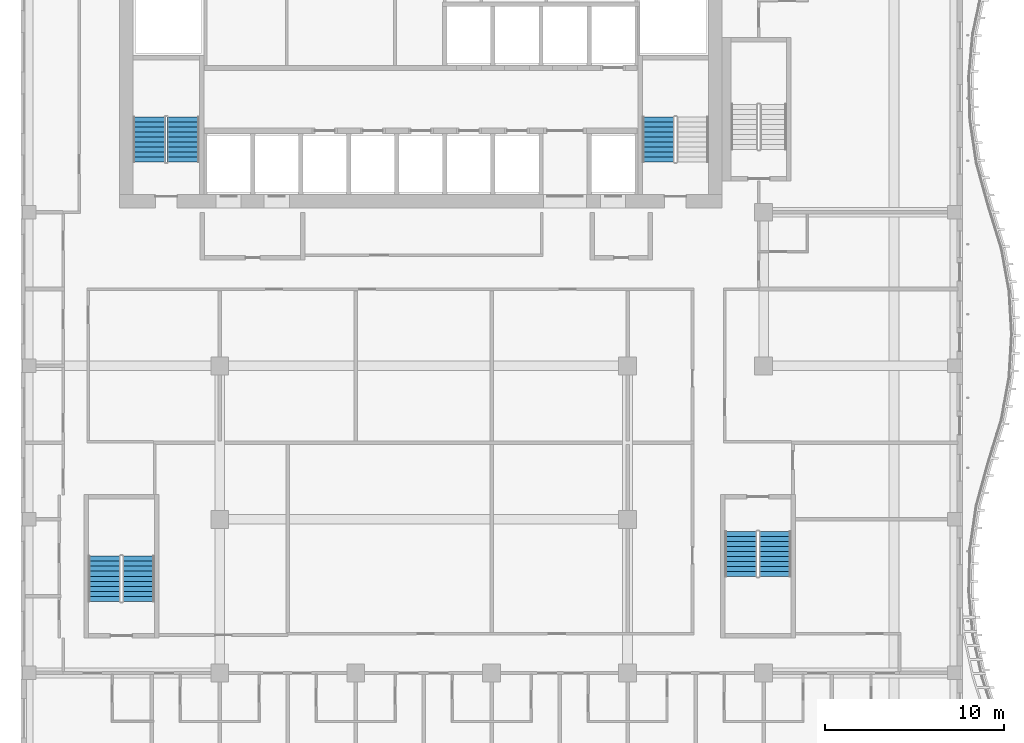
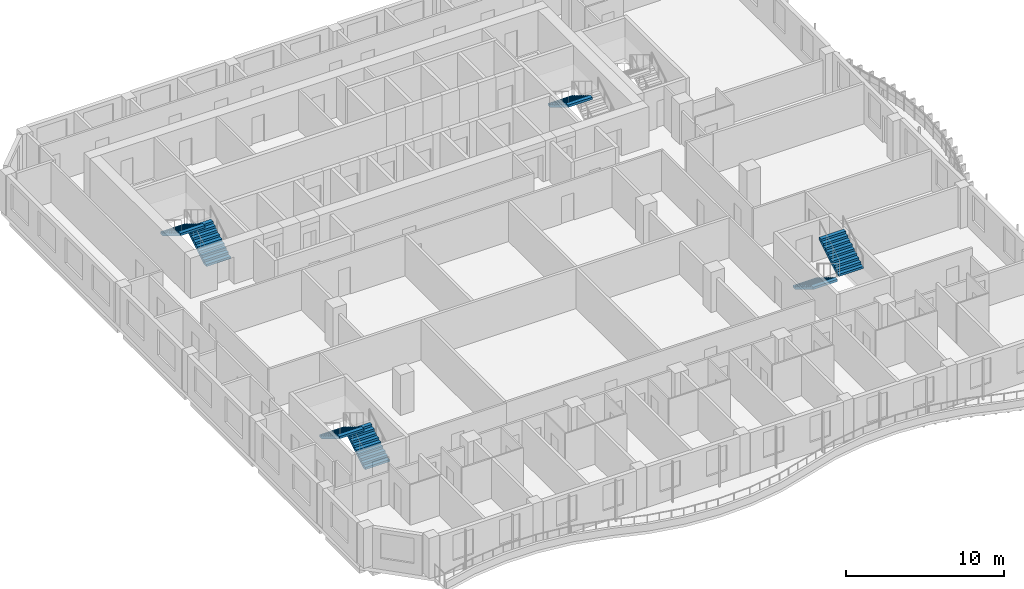
# One storey, part 12 of 23: 7 stair flights, 4 elements without a shape of their own.
"""IFC4 building model written with IfcOpenShell, lengths in metres."""

from ifc_helpers import new_model, si_unit, direction, frame, origin, place, context, subcontext, project, spatial, triangles, source, transform, mapped, material, type_object, element, aggregate, save


model = new_model("IFC4")

# Units and contexts
model_context = context("Model", 3, precision=1e-05, world=origin(), true_north=direction((0.0, 1.0)))
body_context = subcontext(model_context, "Body", "Model", "MODEL_VIEW")
ifc_project = project(units=[si_unit("LENGTHUNIT", "METRE"), si_unit("AREAUNIT", "SQUARE_METRE"), si_unit("VOLUMEUNIT", "CUBIC_METRE"), si_unit("PLANEANGLEUNIT", "RADIAN"), si_unit("MASSUNIT", "GRAM", prefix="KILO")], contexts=[model_context])

# Site, building, storey
site_placement = place(None, origin())
site = spatial("IfcSite", under=ifc_project, at=site_placement, CompositionType="ELEMENT")
building_placement = place(site_placement, origin())
building = spatial("IfcBuilding", under=site, at=building_placement, Name="Kilnfold Tower and Market Hall", CompositionType="ELEMENT")
storey_placement = place(building_placement, frame((0.0, 0.0, 203.300048828125)))
storey = spatial("IfcBuildingStorey", under=building, at=storey_placement, Name="L49", CompositionType="ELEMENT", Elevation=203.300048828125)

# Stair, stair flights
ifc_material_1 = material(Name="Concrete C40/50", Category="concrete")
stair_type = type_object("IfcStairType", Name="CORE STAIR 1800", PredefinedType="HALF_TURN_STAIR", material=ifc_material_1)
stair_1_placement = place(storey_placement, origin())
stair_1 = element("IfcStair", 1, at=stair_1_placement, inside=storey, type_object=stair_type, Name="L49 ST1", PredefinedType="HALF_TURN_STAIR")
ifc_material_2 = material(Name="Concrete C40/50", Category="concrete")
stair_flight_type = type_object("IfcStairFlightType", Name="CORE STAIR FLIGHT 1800", PredefinedType="STRAIGHT", material=ifc_material_2)
shared_shape = source(origin(), body_context, "Body", "Tessellation", [
    triangles([(0.0, 0.89990234375, 0.0), (0.0, 0.78759765625, 0.0), (0.0, 0.675048828125, 0.0), (0.0, 0.5625, 0.0), (0.0, 0.449951171875, 0.0), (0.0, 0.33740234375, 0.0), (0.0, 0.22509765625, 0.0), (0.0, 0.112548828125, 0.0), (0.0, 0.0, 0.0), (0.0, -0.112548828125, 0.0), (0.0, -0.22509765625, 0.0), (0.0, -0.33740234375, 0.0), (0.0, -0.449951171875, 0.0), (0.0, -0.5625, 0.0), (0.0, -0.675048828125, 0.0), (0.0, -0.78759765625, 0.0), (0.0, -0.89990234375, 0.0), (0.0, 0.89990234375, 0.169921875), (0.0, 0.78759765625, 0.169921875), (0.0, 0.675048828125, 0.169921875), (0.0, 0.5625, 0.169921875), (0.0, 0.449951171875, 0.169921875), (0.0, 0.33740234375, 0.169921875), (0.0, 0.22509765625, 0.169921875), (0.0, 0.112548828125, 0.169921875), (0.0, 0.0, 0.169921875), (0.0, -0.112548828125, 0.169921875), (0.0, -0.22509765625, 0.169921875), (0.0, -0.33740234375, 0.169921875), (0.0, -0.449951171875, 0.169921875), (0.0, -0.5625, 0.169921875), (0.0, -0.675048828125, 0.169921875), (0.0, -0.78759765625, 0.169921875), (0.0, -0.89990234375, 0.169921875), (0.280029296875, 0.89990234375, 0.169921875), (0.280029296875, 0.78759765625, 0.169921875), (0.280029296875, 0.675048828125, 0.169921875), (0.280029296875, 0.5625, 0.169921875), (0.280029296875, 0.449951171875, 0.169921875), (0.280029296875, 0.33740234375, 0.169921875), (0.280029296875, 0.22509765625, 0.169921875), (0.280029296875, 0.112548828125, 0.169921875), (0.280029296875, 0.0, 0.169921875), (0.280029296875, -0.112548828125, 0.169921875), (0.280029296875, -0.22509765625, 0.169921875), (0.280029296875, -0.33740234375, 0.169921875), (0.280029296875, -0.449951171875, 0.169921875), (0.280029296875, -0.5625, 0.169921875), (0.280029296875, -0.675048828125, 0.169921875), (0.280029296875, -0.78759765625, 0.169921875), (0.280029296875, -0.89990234375, 0.169921875), (0.280029296875, 0.89990234375, 0.340087890625), (0.280029296875, 0.78759765625, 0.340087890625), (0.280029296875, 0.675048828125, 0.340087890625), (0.280029296875, 0.5625, 0.340087890625), (0.280029296875, 0.449951171875, 0.340087890625), (0.280029296875, 0.33740234375, 0.340087890625), (0.280029296875, 0.22509765625, 0.340087890625), (0.280029296875, 0.112548828125, 0.340087890625), (0.280029296875, 0.0, 0.340087890625), (0.280029296875, -0.112548828125, 0.340087890625), (0.280029296875, -0.22509765625, 0.340087890625), (0.280029296875, -0.33740234375, 0.340087890625), (0.280029296875, -0.449951171875, 0.340087890625), (0.280029296875, -0.5625, 0.340087890625), (0.280029296875, -0.675048828125, 0.340087890625), (0.280029296875, -0.78759765625, 0.340087890625), (0.280029296875, -0.89990234375, 0.340087890625), (0.56005859375, 0.89990234375, 0.340087890625), (0.56005859375, 0.78759765625, 0.340087890625), (0.56005859375, 0.675048828125, 0.340087890625), (0.56005859375, 0.5625, 0.340087890625), (0.56005859375, 0.449951171875, 0.340087890625), (0.56005859375, 0.33740234375, 0.340087890625), (0.56005859375, 0.22509765625, 0.340087890625), (0.56005859375, 0.112548828125, 0.340087890625), (0.56005859375, 0.0, 0.340087890625), (0.56005859375, -0.112548828125, 0.340087890625), (0.56005859375, -0.22509765625, 0.340087890625), (0.56005859375, -0.33740234375, 0.340087890625), (0.56005859375, -0.449951171875, 0.340087890625), (0.56005859375, -0.5625, 0.340087890625), (0.56005859375, -0.675048828125, 0.340087890625), (0.56005859375, -0.78759765625, 0.340087890625), (0.56005859375, -0.89990234375, 0.340087890625), (0.56005859375, 0.89990234375, 0.510009765625), (0.56005859375, 0.78759765625, 0.510009765625), (0.56005859375, 0.675048828125, 0.510009765625), (0.56005859375, 0.5625, 0.510009765625), (0.56005859375, 0.449951171875, 0.510009765625), (0.56005859375, 0.33740234375, 0.510009765625), (0.56005859375, 0.22509765625, 0.510009765625), (0.56005859375, 0.112548828125, 0.510009765625), (0.56005859375, 0.0, 0.510009765625), (0.56005859375, -0.112548828125, 0.510009765625), (0.56005859375, -0.22509765625, 0.510009765625), (0.56005859375, -0.33740234375, 0.510009765625), (0.56005859375, -0.449951171875, 0.510009765625), (0.56005859375, -0.5625, 0.510009765625), (0.56005859375, -0.675048828125, 0.510009765625), (0.56005859375, -0.78759765625, 0.510009765625), (0.56005859375, -0.89990234375, 0.510009765625), (0.840087890625, 0.89990234375, 0.510009765625), (0.840087890625, 0.78759765625, 0.510009765625), (0.840087890625, 0.675048828125, 0.510009765625), (0.840087890625, 0.5625, 0.510009765625), (0.840087890625, 0.449951171875, 0.510009765625), (0.840087890625, 0.33740234375, 0.510009765625), (0.840087890625, 0.22509765625, 0.510009765625), (0.840087890625, 0.112548828125, 0.510009765625), (0.840087890625, 0.0, 0.510009765625), (0.840087890625, -0.112548828125, 0.510009765625), (0.840087890625, -0.22509765625, 0.510009765625), (0.840087890625, -0.33740234375, 0.510009765625), (0.840087890625, -0.449951171875, 0.510009765625), (0.840087890625, -0.5625, 0.510009765625), (0.840087890625, -0.675048828125, 0.510009765625), (0.840087890625, -0.78759765625, 0.510009765625), (0.840087890625, -0.89990234375, 0.510009765625), (0.840087890625, 0.89990234375, 0.679931640625), (0.840087890625, 0.78759765625, 0.679931640625), (0.840087890625, 0.675048828125, 0.679931640625), (0.840087890625, 0.5625, 0.679931640625), (0.840087890625, 0.449951171875, 0.679931640625), (0.840087890625, 0.33740234375, 0.679931640625), (0.840087890625, 0.22509765625, 0.679931640625), (0.840087890625, 0.112548828125, 0.679931640625), (0.840087890625, 0.0, 0.679931640625), (0.840087890625, -0.112548828125, 0.679931640625), (0.840087890625, -0.22509765625, 0.679931640625), (0.840087890625, -0.33740234375, 0.679931640625), (0.840087890625, -0.449951171875, 0.679931640625), (0.840087890625, -0.5625, 0.679931640625), (0.840087890625, -0.675048828125, 0.679931640625), (0.840087890625, -0.78759765625, 0.679931640625), (0.840087890625, -0.89990234375, 0.679931640625), (1.1201171875, 0.89990234375, 0.679931640625), (1.1201171875, 0.78759765625, 0.679931640625), (1.1201171875, 0.675048828125, 0.679931640625), (1.1201171875, 0.5625, 0.679931640625), (1.1201171875, 0.449951171875, 0.679931640625), (1.1201171875, 0.33740234375, 0.679931640625), (1.1201171875, 0.22509765625, 0.679931640625), (1.1201171875, 0.112548828125, 0.679931640625), (1.1201171875, 0.0, 0.679931640625), (1.1201171875, -0.112548828125, 0.679931640625), (1.1201171875, -0.22509765625, 0.679931640625), (1.1201171875, -0.33740234375, 0.679931640625), (1.1201171875, -0.449951171875, 0.679931640625), (1.1201171875, -0.5625, 0.679931640625), (1.1201171875, -0.675048828125, 0.679931640625), (1.1201171875, -0.78759765625, 0.679931640625), (1.1201171875, -0.89990234375, 0.679931640625), (1.1201171875, 0.89990234375, 0.85009765625), (1.1201171875, 0.78759765625, 0.85009765625), (1.1201171875, 0.675048828125, 0.85009765625), (1.1201171875, 0.5625, 0.85009765625), (1.1201171875, 0.449951171875, 0.85009765625), (1.1201171875, 0.33740234375, 0.85009765625), (1.1201171875, 0.22509765625, 0.85009765625), (1.1201171875, 0.112548828125, 0.85009765625), (1.1201171875, 0.0, 0.85009765625), (1.1201171875, -0.112548828125, 0.85009765625), (1.1201171875, -0.22509765625, 0.85009765625), (1.1201171875, -0.33740234375, 0.85009765625), (1.1201171875, -0.449951171875, 0.85009765625), (1.1201171875, -0.5625, 0.85009765625), (1.1201171875, -0.675048828125, 0.85009765625), (1.1201171875, -0.78759765625, 0.85009765625), (1.1201171875, -0.89990234375, 0.85009765625), (1.39990234375, 0.89990234375, 0.85009765625), (1.39990234375, 0.78759765625, 0.85009765625), (1.39990234375, 0.675048828125, 0.85009765625), (1.39990234375, 0.5625, 0.85009765625), (1.39990234375, 0.449951171875, 0.85009765625), (1.39990234375, 0.33740234375, 0.85009765625), (1.39990234375, 0.22509765625, 0.85009765625), (1.39990234375, 0.112548828125, 0.85009765625), (1.39990234375, 0.0, 0.85009765625), (1.39990234375, -0.112548828125, 0.85009765625), (1.39990234375, -0.22509765625, 0.85009765625), (1.39990234375, -0.33740234375, 0.85009765625), (1.39990234375, -0.449951171875, 0.85009765625), (1.39990234375, -0.5625, 0.85009765625), (1.39990234375, -0.675048828125, 0.85009765625), (1.39990234375, -0.78759765625, 0.85009765625), (1.39990234375, -0.89990234375, 0.85009765625), (1.39990234375, 0.89990234375, 1.02001953125), (1.39990234375, 0.78759765625, 1.02001953125), (1.39990234375, 0.675048828125, 1.02001953125), (1.39990234375, 0.5625, 1.02001953125), (1.39990234375, 0.449951171875, 1.02001953125), (1.39990234375, 0.33740234375, 1.02001953125), (1.39990234375, 0.22509765625, 1.02001953125), (1.39990234375, 0.112548828125, 1.02001953125), (1.39990234375, 0.0, 1.02001953125), (1.39990234375, -0.112548828125, 1.02001953125), (1.39990234375, -0.22509765625, 1.02001953125), (1.39990234375, -0.33740234375, 1.02001953125), (1.39990234375, -0.449951171875, 1.02001953125), (1.39990234375, -0.5625, 1.02001953125), (1.39990234375, -0.675048828125, 1.02001953125), (1.39990234375, -0.78759765625, 1.02001953125), (1.39990234375, -0.89990234375, 1.02001953125), (1.679931640625, 0.89990234375, 1.02001953125), (1.679931640625, 0.78759765625, 1.02001953125), (1.679931640625, 0.675048828125, 1.02001953125), (1.679931640625, 0.5625, 1.02001953125), (1.679931640625, 0.449951171875, 1.02001953125), (1.679931640625, 0.33740234375, 1.02001953125), (1.679931640625, 0.22509765625, 1.02001953125), (1.679931640625, 0.112548828125, 1.02001953125), (1.679931640625, 0.0, 1.02001953125), (1.679931640625, -0.112548828125, 1.02001953125), (1.679931640625, -0.22509765625, 1.02001953125), (1.679931640625, -0.33740234375, 1.02001953125), (1.679931640625, -0.449951171875, 1.02001953125), (1.679931640625, -0.5625, 1.02001953125), (1.679931640625, -0.675048828125, 1.02001953125), (1.679931640625, -0.78759765625, 1.02001953125), (1.679931640625, -0.89990234375, 1.02001953125), (1.679931640625, 0.89990234375, 1.18994140625), (1.679931640625, 0.78759765625, 1.18994140625), (1.679931640625, 0.675048828125, 1.18994140625), (1.679931640625, 0.5625, 1.18994140625), (1.679931640625, 0.449951171875, 1.18994140625), (1.679931640625, 0.33740234375, 1.18994140625), (1.679931640625, 0.22509765625, 1.18994140625), (1.679931640625, 0.112548828125, 1.18994140625), (1.679931640625, 0.0, 1.18994140625), (1.679931640625, -0.112548828125, 1.18994140625), (1.679931640625, -0.22509765625, 1.18994140625), (1.679931640625, -0.33740234375, 1.18994140625), (1.679931640625, -0.449951171875, 1.18994140625), (1.679931640625, -0.5625, 1.18994140625), (1.679931640625, -0.675048828125, 1.18994140625), (1.679931640625, -0.78759765625, 1.18994140625), (1.679931640625, -0.89990234375, 1.18994140625), (1.9599609375, 0.89990234375, 1.18994140625), (1.9599609375, 0.78759765625, 1.18994140625), (1.9599609375, 0.675048828125, 1.18994140625), (1.9599609375, 0.5625, 1.18994140625), (1.9599609375, 0.449951171875, 1.18994140625), (1.9599609375, 0.33740234375, 1.18994140625), (1.9599609375, 0.22509765625, 1.18994140625), (1.9599609375, 0.112548828125, 1.18994140625), (1.9599609375, 0.0, 1.18994140625), (1.9599609375, -0.112548828125, 1.18994140625), (1.9599609375, -0.22509765625, 1.18994140625), (1.9599609375, -0.33740234375, 1.18994140625), (1.9599609375, -0.449951171875, 1.18994140625), (1.9599609375, -0.5625, 1.18994140625), (1.9599609375, -0.675048828125, 1.18994140625), (1.9599609375, -0.78759765625, 1.18994140625), (1.9599609375, -0.89990234375, 1.18994140625), (1.9599609375, 0.89990234375, 1.360107421875), (1.9599609375, 0.78759765625, 1.360107421875), (1.9599609375, 0.675048828125, 1.360107421875), (1.9599609375, 0.5625, 1.360107421875), (1.9599609375, 0.449951171875, 1.360107421875), (1.9599609375, 0.33740234375, 1.360107421875), (1.9599609375, 0.22509765625, 1.360107421875), (1.9599609375, 0.112548828125, 1.360107421875), (1.9599609375, 0.0, 1.360107421875), (1.9599609375, -0.112548828125, 1.360107421875), (1.9599609375, -0.22509765625, 1.360107421875), (1.9599609375, -0.33740234375, 1.360107421875), (1.9599609375, -0.449951171875, 1.360107421875), (1.9599609375, -0.5625, 1.360107421875), (1.9599609375, -0.675048828125, 1.360107421875), (1.9599609375, -0.78759765625, 1.360107421875), (1.9599609375, -0.89990234375, 1.360107421875), (2.239990234375, 0.89990234375, 1.360107421875), (2.239990234375, 0.78759765625, 1.360107421875), (2.239990234375, 0.675048828125, 1.360107421875), (2.239990234375, 0.5625, 1.360107421875), (2.239990234375, 0.449951171875, 1.360107421875), (2.239990234375, 0.33740234375, 1.360107421875), (2.239990234375, 0.22509765625, 1.360107421875), (2.239990234375, 0.112548828125, 1.360107421875), (2.239990234375, 0.0, 1.360107421875), (2.239990234375, -0.112548828125, 1.360107421875), (2.239990234375, -0.22509765625, 1.360107421875), (2.239990234375, -0.33740234375, 1.360107421875), (2.239990234375, -0.449951171875, 1.360107421875), (2.239990234375, -0.5625, 1.360107421875), (2.239990234375, -0.675048828125, 1.360107421875), (2.239990234375, -0.78759765625, 1.360107421875), (2.239990234375, -0.89990234375, 1.360107421875), (2.239990234375, 0.89990234375, 1.530029296875), (2.239990234375, 0.78759765625, 1.530029296875), (2.239990234375, 0.675048828125, 1.530029296875), (2.239990234375, 0.5625, 1.530029296875), (2.239990234375, 0.449951171875, 1.530029296875), (2.239990234375, 0.33740234375, 1.530029296875), (2.239990234375, 0.22509765625, 1.530029296875), (2.239990234375, 0.112548828125, 1.530029296875), (2.239990234375, 0.0, 1.530029296875), (2.239990234375, -0.112548828125, 1.530029296875), (2.239990234375, -0.22509765625, 1.530029296875), (2.239990234375, -0.33740234375, 1.530029296875), (2.239990234375, -0.449951171875, 1.530029296875), (2.239990234375, -0.5625, 1.530029296875), (2.239990234375, -0.675048828125, 1.530029296875), (2.239990234375, -0.78759765625, 1.530029296875), (2.239990234375, -0.89990234375, 1.530029296875), (2.52001953125, 0.89990234375, 1.530029296875), (2.52001953125, 0.78759765625, 1.530029296875), (2.52001953125, 0.675048828125, 1.530029296875), (2.52001953125, 0.5625, 1.530029296875), (2.52001953125, 0.449951171875, 1.530029296875), (2.52001953125, 0.33740234375, 1.530029296875), (2.52001953125, 0.22509765625, 1.530029296875), (2.52001953125, 0.112548828125, 1.530029296875), (2.52001953125, 0.0, 1.530029296875), (2.52001953125, -0.112548828125, 1.530029296875), (2.52001953125, -0.22509765625, 1.530029296875), (2.52001953125, -0.33740234375, 1.530029296875), (2.52001953125, -0.449951171875, 1.530029296875), (2.52001953125, -0.5625, 1.530029296875), (2.52001953125, -0.675048828125, 1.530029296875), (2.52001953125, -0.78759765625, 1.530029296875), (2.52001953125, -0.89990234375, 1.530029296875), (2.52001953125, 0.89990234375, 1.354736328125), (2.52001953125, 0.78759765625, 1.354736328125), (2.52001953125, 0.675048828125, 1.354736328125), (2.52001953125, 0.5625, 1.354736328125), (2.52001953125, 0.449951171875, 1.354736328125), (2.52001953125, 0.33740234375, 1.354736328125), (2.52001953125, 0.22509765625, 1.354736328125), (2.52001953125, 0.112548828125, 1.354736328125), (2.52001953125, 0.0, 1.354736328125), (2.52001953125, -0.112548828125, 1.354736328125), (2.52001953125, -0.22509765625, 1.354736328125), (2.52001953125, -0.33740234375, 1.354736328125), (2.52001953125, -0.449951171875, 1.354736328125), (2.52001953125, -0.5625, 1.354736328125), (2.52001953125, -0.675048828125, 1.354736328125), (2.52001953125, -0.78759765625, 1.354736328125), (2.52001953125, -0.89990234375, 1.354736328125), (0.288818359375, 0.89990234375, 0.0), (0.288818359375, 0.78759765625, 0.0), (0.288818359375, 0.675048828125, 0.0), (0.288818359375, 0.5625, 0.0), (0.288818359375, 0.449951171875, 0.0), (0.288818359375, 0.33740234375, 0.0), (0.288818359375, 0.22509765625, 0.0), (0.288818359375, 0.112548828125, 0.0), (0.288818359375, 0.0, 0.0), (0.288818359375, -0.112548828125, 0.0), (0.288818359375, -0.22509765625, 0.0), (0.288818359375, -0.33740234375, 0.0), (0.288818359375, -0.449951171875, 0.0), (0.288818359375, -0.5625, 0.0), (0.288818359375, -0.675048828125, 0.0), (0.288818359375, -0.78759765625, 0.0), (0.288818359375, -0.89990234375, 0.0)], [[1, 324, 341], [17, 357, 340], [324, 290, 307], [340, 323, 306], [324, 273, 290], [340, 306, 289], [324, 256, 273], [340, 289, 272], [324, 239, 256], [340, 272, 255], [239, 205, 222], [255, 238, 221], [324, 205, 239], [340, 255, 221], [205, 171, 188], [221, 204, 187], [324, 171, 205], [340, 221, 187], [171, 137, 154], [187, 170, 153], [324, 137, 171], [340, 187, 153], [137, 103, 120], [153, 136, 119], [324, 103, 137], [340, 153, 119], [103, 69, 86], [119, 102, 85], [324, 69, 103], [340, 119, 85], [69, 35, 52], [85, 68, 51], [324, 35, 69], [340, 85, 51], [1, 35, 324], [17, 340, 51], [35, 1, 18], [51, 34, 17], [1, 19, 18], [1, 2, 19], [2, 20, 19], [2, 3, 20], [3, 21, 20], [3, 4, 21], [4, 22, 21], [4, 5, 22], [5, 23, 22], [5, 6, 23], [6, 24, 23], [6, 7, 24], [7, 25, 24], [7, 8, 25], [8, 26, 25], [8, 9, 26], [9, 27, 26], [9, 10, 27], [10, 28, 27], [10, 11, 28], [11, 29, 28], [11, 12, 29], [12, 30, 29], [12, 13, 30], [13, 31, 30], [13, 14, 31], [14, 32, 31], [14, 15, 32], [15, 33, 32], [15, 16, 33], [16, 34, 33], [16, 17, 34], [18, 36, 35], [18, 19, 36], [19, 37, 36], [19, 20, 37], [20, 38, 37], [20, 21, 38], [21, 39, 38], [21, 22, 39], [22, 40, 39], [22, 23, 40], [23, 41, 40], [23, 24, 41], [24, 42, 41], [24, 25, 42], [25, 43, 42], [25, 26, 43], [26, 44, 43], [26, 27, 44], [27, 45, 44], [27, 28, 45], [28, 46, 45], [28, 29, 46], [29, 47, 46], [29, 30, 47], [30, 48, 47], [30, 31, 48], [31, 49, 48], [31, 32, 49], [32, 50, 49], [32, 33, 50], [33, 51, 50], [33, 34, 51], [35, 53, 52], [35, 36, 53], [36, 54, 53], [36, 37, 54], [37, 55, 54], [37, 38, 55], [38, 56, 55], [38, 39, 56], [39, 57, 56], [39, 40, 57], [40, 58, 57], [40, 41, 58], [41, 59, 58], [41, 42, 59], [42, 60, 59], [42, 43, 60], [43, 61, 60], [43, 44, 61], [44, 62, 61], [44, 45, 62], [45, 63, 62], [45, 46, 63], [46, 64, 63], [46, 47, 64], [47, 65, 64], [47, 48, 65], [48, 66, 65], [48, 49, 66], [49, 67, 66], [49, 50, 67], [50, 68, 67], [50, 51, 68], [52, 70, 69], [52, 53, 70], [53, 71, 70], [53, 54, 71], [54, 72, 71], [54, 55, 72], [55, 73, 72], [55, 56, 73], [56, 74, 73], [56, 57, 74], [57, 75, 74], [57, 58, 75], [58, 76, 75], [58, 59, 76], [59, 77, 76], [59, 60, 77], [60, 78, 77], [60, 61, 78], [61, 79, 78], [61, 62, 79], [62, 80, 79], [62, 63, 80], [63, 81, 80], [63, 64, 81], [64, 82, 81], [64, 65, 82], [65, 83, 82], [65, 66, 83], [66, 84, 83], [66, 67, 84], [67, 85, 84], [67, 68, 85], [69, 87, 86], [69, 70, 87], [70, 88, 87], [70, 71, 88], [71, 89, 88], [71, 72, 89], [72, 90, 89], [72, 73, 90], [73, 91, 90], [73, 74, 91], [74, 92, 91], [74, 75, 92], [75, 93, 92], [75, 76, 93], [76, 94, 93], [76, 77, 94], [77, 95, 94], [77, 78, 95], [78, 96, 95], [78, 79, 96], [79, 97, 96], [79, 80, 97], [80, 98, 97], [80, 81, 98], [81, 99, 98], [81, 82, 99], [82, 100, 99], [82, 83, 100], [83, 101, 100], [83, 84, 101], [84, 102, 101], [84, 85, 102], [86, 104, 103], [86, 87, 104], [87, 105, 104], [87, 88, 105], [88, 106, 105], [88, 89, 106], [89, 107, 106], [89, 90, 107], [90, 108, 107], [90, 91, 108], [91, 109, 108], [91, 92, 109], [92, 110, 109], [92, 93, 110], [93, 111, 110], [93, 94, 111], [94, 112, 111], [94, 95, 112], [95, 113, 112], [95, 96, 113], [96, 114, 113], [96, 97, 114], [97, 115, 114], [97, 98, 115], [98, 116, 115], [98, 99, 116], [99, 117, 116], [99, 100, 117], [100, 118, 117], [100, 101, 118], [101, 119, 118], [101, 102, 119], [103, 121, 120], [103, 104, 121], [104, 122, 121], [104, 105, 122], [105, 123, 122], [105, 106, 123], [106, 124, 123], [106, 107, 124], [107, 125, 124], [107, 108, 125], [108, 126, 125], [108, 109, 126], [109, 127, 126], [109, 110, 127], [110, 128, 127], [110, 111, 128], [111, 129, 128], [111, 112, 129], [112, 130, 129], [112, 113, 130], [113, 131, 130], [113, 114, 131], [114, 132, 131], [114, 115, 132], [115, 133, 132], [115, 116, 133], [116, 134, 133], [116, 117, 134], [117, 135, 134], [117, 118, 135], [118, 136, 135], [118, 119, 136], [120, 138, 137], [120, 121, 138], [121, 139, 138], [121, 122, 139], [122, 140, 139], [122, 123, 140], [123, 141, 140], [123, 124, 141], [124, 142, 141], [124, 125, 142], [125, 143, 142], [125, 126, 143], [126, 144, 143], [126, 127, 144], [127, 145, 144], [127, 128, 145], [128, 146, 145], [128, 129, 146], [129, 147, 146], [129, 130, 147], [130, 148, 147], [130, 131, 148], [131, 149, 148], [131, 132, 149], [132, 150, 149], [132, 133, 150], [133, 151, 150], [133, 134, 151], [134, 152, 151], [134, 135, 152], [135, 153, 152], [135, 136, 153], [137, 155, 154], [137, 138, 155], [138, 156, 155], [138, 139, 156], [139, 157, 156], [139, 140, 157], [140, 158, 157], [140, 141, 158], [141, 159, 158], [141, 142, 159], [142, 160, 159], [142, 143, 160], [143, 161, 160], [143, 144, 161], [144, 162, 161], [144, 145, 162], [145, 163, 162], [145, 146, 163], [146, 164, 163], [146, 147, 164], [147, 165, 164], [147, 148, 165], [148, 166, 165], [148, 149, 166], [149, 167, 166], [149, 150, 167], [150, 168, 167], [150, 151, 168], [151, 169, 168], [151, 152, 169], [152, 170, 169], [152, 153, 170], [154, 172, 171], [154, 155, 172], [155, 173, 172], [155, 156, 173], [156, 174, 173], [156, 157, 174], [157, 175, 174], [157, 158, 175], [158, 176, 175], [158, 159, 176], [159, 177, 176], [159, 160, 177], [160, 178, 177], [160, 161, 178], [161, 179, 178], [161, 162, 179], [162, 180, 179], [162, 163, 180], [163, 181, 180], [163, 164, 181], [164, 182, 181], [164, 165, 182], [165, 183, 182], [165, 166, 183], [166, 184, 183], [166, 167, 184], [167, 185, 184], [167, 168, 185], [168, 186, 185], [168, 169, 186], [169, 187, 186], [169, 170, 187], [171, 189, 188], [171, 172, 189], [172, 190, 189], [172, 173, 190], [173, 191, 190], [173, 174, 191], [174, 192, 191], [174, 175, 192], [175, 193, 192], [175, 176, 193], [176, 194, 193], [176, 177, 194], [177, 195, 194], [177, 178, 195], [178, 196, 195], [178, 179, 196], [179, 197, 196], [179, 180, 197], [180, 198, 197], [180, 181, 198], [181, 199, 198], [181, 182, 199], [182, 200, 199], [182, 183, 200], [183, 201, 200], [183, 184, 201], [184, 202, 201], [184, 185, 202], [185, 203, 202], [185, 186, 203], [186, 204, 203], [186, 187, 204], [188, 206, 205], [188, 189, 206], [189, 207, 206], [189, 190, 207], [190, 208, 207], [190, 191, 208], [191, 209, 208], [191, 192, 209], [192, 210, 209], [192, 193, 210], [193, 211, 210], [193, 194, 211], [194, 212, 211], [194, 195, 212], [195, 213, 212], [195, 196, 213], [196, 214, 213], [196, 197, 214], [197, 215, 214], [197, 198, 215], [198, 216, 215], [198, 199, 216], [199, 217, 216], [199, 200, 217], [200, 218, 217], [200, 201, 218], [201, 219, 218], [201, 202, 219], [202, 220, 219], [202, 203, 220], [203, 221, 220], [203, 204, 221], [205, 223, 222], [205, 206, 223], [206, 224, 223], [206, 207, 224], [207, 225, 224], [207, 208, 225], [208, 226, 225], [208, 209, 226], [209, 227, 226], [209, 210, 227], [210, 228, 227], [210, 211, 228], [211, 229, 228], [211, 212, 229], [212, 230, 229], [212, 213, 230], [213, 231, 230], [213, 214, 231], [214, 232, 231], [214, 215, 232], [215, 233, 232], [215, 216, 233], [216, 234, 233], [216, 217, 234], [217, 235, 234], [217, 218, 235], [218, 236, 235], [218, 219, 236], [219, 237, 236], [219, 220, 237], [220, 238, 237], [220, 221, 238], [222, 240, 239], [222, 223, 240], [223, 241, 240], [223, 224, 241], [224, 242, 241], [224, 225, 242], [225, 243, 242], [225, 226, 243], [226, 244, 243], [226, 227, 244], [227, 245, 244], [227, 228, 245], [228, 246, 245], [228, 229, 246], [229, 247, 246], [229, 230, 247], [230, 248, 247], [230, 231, 248], [231, 249, 248], [231, 232, 249], [232, 250, 249], [232, 233, 250], [233, 251, 250], [233, 234, 251], [234, 252, 251], [234, 235, 252], [235, 253, 252], [235, 236, 253], [236, 254, 253], [236, 237, 254], [237, 255, 254], [237, 238, 255], [239, 257, 256], [239, 240, 257], [240, 258, 257], [240, 241, 258], [241, 259, 258], [241, 242, 259], [242, 260, 259], [242, 243, 260], [243, 261, 260], [243, 244, 261], [244, 262, 261], [244, 245, 262], [245, 263, 262], [245, 246, 263], [246, 264, 263], [246, 247, 264], [247, 265, 264], [247, 248, 265], [248, 266, 265], [248, 249, 266], [249, 267, 266], [249, 250, 267], [250, 268, 267], [250, 251, 268], [251, 269, 268], [251, 252, 269], [252, 270, 269], [252, 253, 270], [253, 271, 270], [253, 254, 271], [254, 272, 271], [254, 255, 272], [256, 274, 273], [256, 257, 274], [257, 275, 274], [257, 258, 275], [258, 276, 275], [258, 259, 276], [259, 277, 276], [259, 260, 277], [260, 278, 277], [260, 261, 278], [261, 279, 278], [261, 262, 279], [262, 280, 279], [262, 263, 280], [263, 281, 280], [263, 264, 281], [264, 282, 281], [264, 265, 282], [265, 283, 282], [265, 266, 283], [266, 284, 283], [266, 267, 284], [267, 285, 284], [267, 268, 285], [268, 286, 285], [268, 269, 286], [269, 287, 286], [269, 270, 287], [270, 288, 287], [270, 271, 288], [271, 289, 288], [271, 272, 289], [273, 291, 290], [273, 274, 291], [274, 292, 291], [274, 275, 292], [275, 293, 292], [275, 276, 293], [276, 294, 293], [276, 277, 294], [277, 295, 294], [277, 278, 295], [278, 296, 295], [278, 279, 296], [279, 297, 296], [279, 280, 297], [280, 298, 297], [280, 281, 298], [281, 299, 298], [281, 282, 299], [282, 300, 299], [282, 283, 300], [283, 301, 300], [283, 284, 301], [284, 302, 301], [284, 285, 302], [285, 303, 302], [285, 286, 303], [286, 304, 303], [286, 287, 304], [287, 305, 304], [287, 288, 305], [288, 306, 305], [288, 289, 306], [290, 308, 307], [290, 291, 308], [291, 309, 308], [291, 292, 309], [292, 310, 309], [292, 293, 310], [293, 311, 310], [293, 294, 311], [294, 312, 311], [294, 295, 312], [295, 313, 312], [295, 296, 313], [296, 314, 313], [296, 297, 314], [297, 315, 314], [297, 298, 315], [298, 316, 315], [298, 299, 316], [299, 317, 316], [299, 300, 317], [300, 318, 317], [300, 301, 318], [301, 319, 318], [301, 302, 319], [302, 320, 319], [302, 303, 320], [303, 321, 320], [303, 304, 321], [304, 322, 321], [304, 305, 322], [305, 323, 322], [305, 306, 323], [307, 325, 324], [307, 308, 325], [308, 326, 325], [308, 309, 326], [309, 327, 326], [309, 310, 327], [310, 328, 327], [310, 311, 328], [311, 329, 328], [311, 312, 329], [312, 330, 329], [312, 313, 330], [313, 331, 330], [313, 314, 331], [314, 332, 331], [314, 315, 332], [315, 333, 332], [315, 316, 333], [316, 334, 333], [316, 317, 334], [317, 335, 334], [317, 318, 335], [318, 336, 335], [318, 319, 336], [319, 337, 336], [319, 320, 337], [320, 338, 337], [320, 321, 338], [321, 339, 338], [321, 322, 339], [322, 340, 339], [322, 323, 340], [324, 342, 341], [324, 325, 342], [325, 343, 342], [325, 326, 343], [326, 344, 343], [326, 327, 344], [327, 345, 344], [327, 328, 345], [328, 346, 345], [328, 329, 346], [329, 347, 346], [329, 330, 347], [330, 348, 347], [330, 331, 348], [331, 349, 348], [331, 332, 349], [332, 350, 349], [332, 333, 350], [333, 351, 350], [333, 334, 351], [334, 352, 351], [334, 335, 352], [335, 353, 352], [335, 336, 353], [336, 354, 353], [336, 337, 354], [337, 355, 354], [337, 338, 355], [338, 356, 355], [338, 339, 356], [339, 357, 356], [339, 340, 357], [341, 2, 1], [341, 342, 2], [342, 3, 2], [342, 343, 3], [343, 4, 3], [343, 344, 4], [344, 5, 4], [344, 345, 5], [345, 6, 5], [345, 346, 6], [346, 7, 6], [346, 347, 7], [347, 8, 7], [347, 348, 8], [348, 9, 8], [348, 349, 9], [349, 10, 9], [349, 350, 10], [350, 11, 10], [350, 351, 11], [351, 12, 11], [351, 352, 12], [352, 13, 12], [352, 353, 13], [353, 14, 13], [353, 354, 14], [354, 15, 14], [354, 355, 15], [355, 16, 15], [355, 356, 16], [356, 17, 16], [356, 357, 17]], closed=True),
])
stair_flight_1_placement = place(storey_placement, frame((-12.199951171875, 10.800048828125, 0.0), z_axis=(0.0, 0.0, 1.0), x_axis=(0.0, 1.0, 0.0)))
stair_flight_1 = element("IfcStairFlight", 2, at=stair_flight_1_placement, type_object=stair_flight_type, Name="ST1 flight 1", NumberOfRisers=10, NumberOfTreads=9, PredefinedType="STRAIGHT", RiserHeight=0.17, TreadLength=0.28, context=body_context, shape_type="MappedRepresentation", body=[
    mapped(shared_shape, transform((0.0, 0.0, 0.0))),
])
stair_flight_2_placement = place(storey_placement, frame((-14.10009765625, 13.320068359375, 1.699951171875), z_axis=(0.0, 0.0, 1.0), x_axis=(0.0, -1.0, 0.0)))
stair_flight_2 = element("IfcStairFlight", 3, at=stair_flight_2_placement, type_object=stair_flight_type, Name="ST1 flight 2", NumberOfRisers=10, NumberOfTreads=9, PredefinedType="STRAIGHT", RiserHeight=0.17, TreadLength=0.28, context=body_context, shape_type="MappedRepresentation", body=[
    mapped(shared_shape, transform((0.0, 0.0, 0.0))),
])
aggregate(stair_1, [stair_flight_1, stair_flight_2])

# Stair, stair flight
stair_2_placement = place(storey_placement, origin())
stair_2 = element("IfcStair", 4, at=stair_2_placement, inside=storey, type_object=stair_type, Name="L49 ST2", PredefinedType="HALF_TURN_STAIR")
stair_flight_3_placement = place(storey_placement, frame((14.300048828125, 13.320068359375, 1.699951171875), z_axis=(0.0, 0.0, 1.0), x_axis=(0.0, -1.0, 0.0)))
stair_flight_3 = element("IfcStairFlight", 5, at=stair_flight_3_placement, type_object=stair_flight_type, Name="ST2 flight 2", NumberOfRisers=10, NumberOfTreads=9, PredefinedType="STRAIGHT", RiserHeight=0.17, TreadLength=0.28, context=body_context, shape_type="MappedRepresentation", body=[
    mapped(shared_shape, transform((0.0, 0.0, 0.0))),
])
aggregate(stair_2, [stair_flight_3])

# Stair, stair flights
stair_3_placement = place(storey_placement, origin())
stair_3 = element("IfcStair", 6, at=stair_3_placement, inside=storey, type_object=stair_type, Name="L49 ST3", PredefinedType="HALF_TURN_STAIR")
stair_flight_4_placement = place(storey_placement, frame((-14.699951171875, -13.699951171875, 0.0), z_axis=(0.0, 0.0, 1.0), x_axis=(0.0, 1.0, 0.0)))
stair_flight_4 = element("IfcStairFlight", 7, at=stair_flight_4_placement, type_object=stair_flight_type, Name="ST3 flight 1", NumberOfRisers=10, NumberOfTreads=9, PredefinedType="STRAIGHT", RiserHeight=0.17, TreadLength=0.28, context=body_context, shape_type="MappedRepresentation", body=[
    mapped(shared_shape, transform((0.0, 0.0, 0.0))),
])
stair_flight_5_placement = place(storey_placement, frame((-16.60009765625, -11.179931640625, 1.699951171875), z_axis=(0.0, 0.0, 1.0), x_axis=(0.0, -1.0, 0.0)))
stair_flight_5 = element("IfcStairFlight", 8, at=stair_flight_5_placement, type_object=stair_flight_type, Name="ST3 flight 2", NumberOfRisers=10, NumberOfTreads=9, PredefinedType="STRAIGHT", RiserHeight=0.17, TreadLength=0.28, context=body_context, shape_type="MappedRepresentation", body=[
    mapped(shared_shape, transform((0.0, 0.0, 0.0))),
])
aggregate(stair_3, [stair_flight_4, stair_flight_5])

stair_4_placement = place(storey_placement, origin())
stair_4 = element("IfcStair", 9, at=stair_4_placement, inside=storey, type_object=stair_type, Name="L49 ST4", PredefinedType="HALF_TURN_STAIR")
stair_flight_6_placement = place(storey_placement, frame((18.89990234375, -9.800048828125, 0.0), z_axis=(0.0, 0.0, 1.0), x_axis=(0.0, -1.0, 0.0)))
stair_flight_6 = element("IfcStairFlight", 10, at=stair_flight_6_placement, type_object=stair_flight_type, Name="ST4 flight 1", NumberOfRisers=10, NumberOfTreads=9, PredefinedType="STRAIGHT", RiserHeight=0.17, TreadLength=0.28, context=body_context, shape_type="MappedRepresentation", body=[
    mapped(shared_shape, transform((0.0, 0.0, 0.0))),
])
stair_flight_7_placement = place(storey_placement, frame((20.800048828125, -12.320068359375, 1.699951171875), z_axis=(0.0, 0.0, 1.0), x_axis=(0.0, 1.0, 0.0)))
stair_flight_7 = element("IfcStairFlight", 11, at=stair_flight_7_placement, type_object=stair_flight_type, Name="ST4 flight 2", NumberOfRisers=10, NumberOfTreads=9, PredefinedType="STRAIGHT", RiserHeight=0.17, TreadLength=0.28, context=body_context, shape_type="MappedRepresentation", body=[
    mapped(shared_shape, transform((0.0, 0.0, 0.0))),
])
aggregate(stair_4, [stair_flight_6, stair_flight_7])

save(model, "model.ifc")
